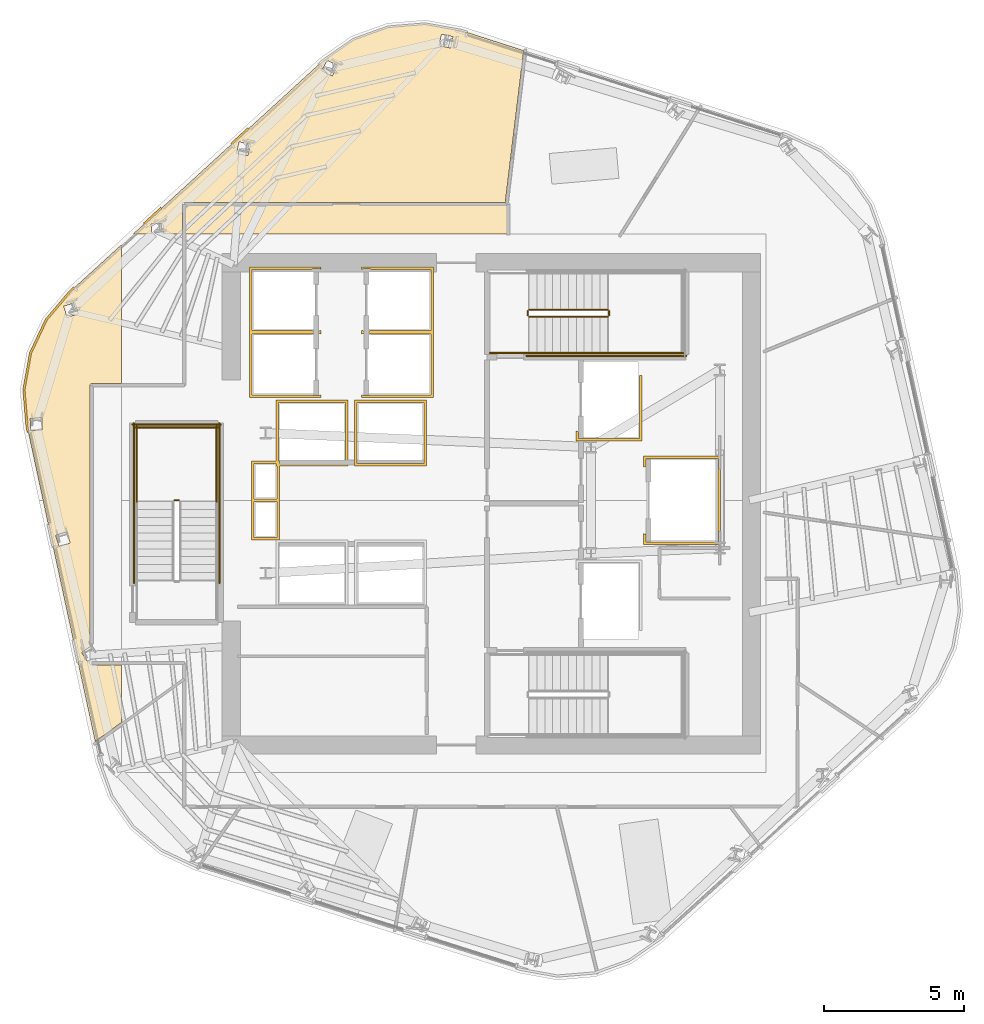
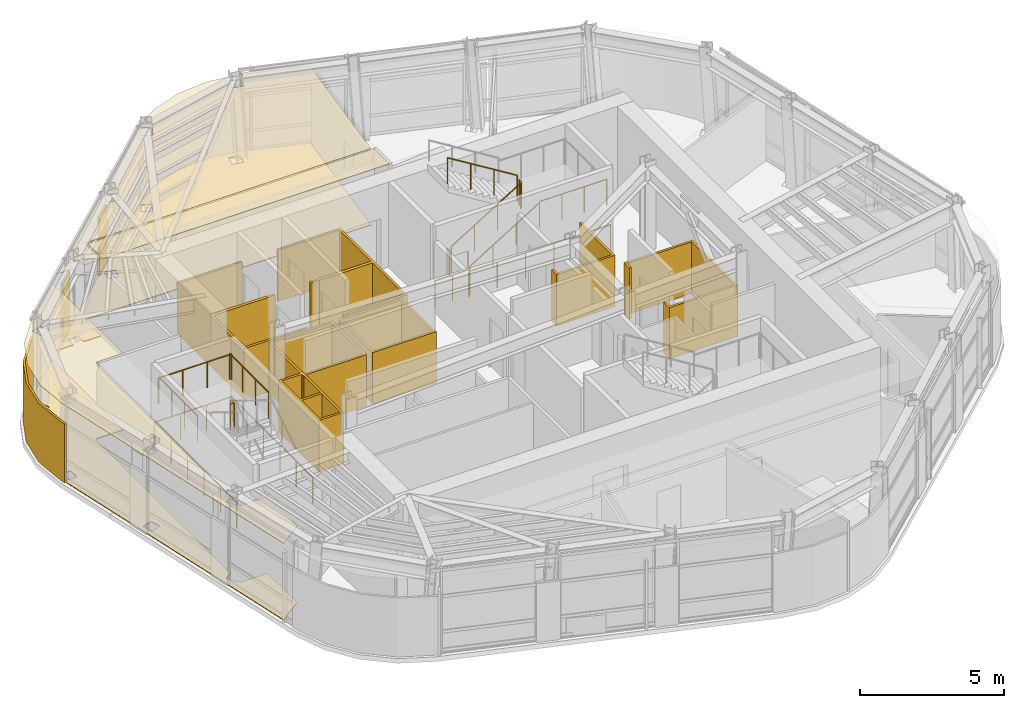
# One storey, part 13 of 15: 15 railings, 14 coverings.
"""IFC4 building model written with IfcOpenShell, lengths in metres."""

from ifc_helpers import new_model, si_unit, direction, frame, origin, origin_2d, place, context, subcontext, project, spatial, polyline, circle, outline, extrude, material, layer, layer_set, type_object, element, save


model = new_model("IFC4")

# Units and contexts
model_context = context("Model", 3, precision=1e-05, world=origin(), true_north=direction((0.0, 1.0)))
body_context = subcontext(model_context, "Body", "Model", "MODEL_VIEW")
ifc_project = project(units=[si_unit("LENGTHUNIT", "METRE"), si_unit("AREAUNIT", "SQUARE_METRE"), si_unit("VOLUMEUNIT", "CUBIC_METRE"), si_unit("PLANEANGLEUNIT", "RADIAN"), si_unit("MASSUNIT", "GRAM", prefix="KILO")], contexts=[model_context])

# Site, building, storey
site_placement = place(None, origin())
site = spatial("IfcSite", under=ifc_project, at=site_placement, CompositionType="ELEMENT")
building_placement = place(site_placement, origin())
building = spatial("IfcBuilding", under=site, at=building_placement, Name="Valkerne Bourse Tower", CompositionType="ELEMENT")
storey_placement = place(building_placement, frame((0.0, 0.0, 205.60009765625)))
storey = spatial("IfcBuildingStorey", under=building, at=storey_placement, Name="L52", CompositionType="ELEMENT", Elevation=205.60009765625)

# Coverings
ifc_material_1 = material(Name="Mineral Fiber Acoustic Ceiling Tile", Category="acoustic")
ifc_layer_1 = layer(ifc_material_1, 0.02490234375)
ifc_layer_set_1 = layer_set([ifc_layer_1], Name="Mineral Fiber Acoustic Ceiling Tile")
covering_type_1 = type_object("IfcCoveringType", Name="COV-CEIL-ACT", PredefinedType="CEILING", material=ifc_layer_set_1)
covering_1_placement = place(storey_placement, frame((0.0, 0.0, 3.25)))
element("IfcCovering", 1, at=covering_1_placement, inside=storey, type_object=covering_type_1, Name="L52 Suspended Ceiling 12", PredefinedType="CEILING", context=body_context, shape_type="SweptSolid", body=[
    extrude(outline(polyline([(30.3662109375, 32.24462890625), (30.927978515625, 33.438720703125), (31.7861328125, 34.453857421875), (33.60009765625, 36.10986328125), (33.60009765625, 31.1689453125), (32.549560546875, 31.1689453125), (32.52099609375, 31.16259765625), (32.498779296875, 31.146484375), (32.48095703125, 31.100830078125), (32.48095703125, 21.852294921875), (32.48779296875, 21.822998046875), (32.509033203125, 21.797119140625), (32.5244140625, 21.790771484375), (32.185791015625, 21.571533203125), (32.1865234375, 21.5693359375), (32.41015625, 21.224365234375), (32.48291015625, 21.271484375), (32.484619140625, 21.17724609375), (32.50927734375, 21.14404296875), (32.54931640625, 21.131103515625), (33.60009765625, 21.131103515625), (33.60009765625, 19.071044921875), (32.671142578125, 18.400146484375), (30.243896484375, 29.621337890625), (30.132568359375, 30.946044921875), (30.3662109375, 32.24462890625)]), holes=[polyline([(31.777587890625, 25.47900390625), (31.65625, 25.871826171875), (31.26025390625, 25.749755859375), (31.260498046875, 25.74755859375), (31.3818359375, 25.354736328125), (31.77783203125, 25.476806640625), (31.777587890625, 25.47900390625)]), polyline([(30.782470703125, 29.520751953125), (30.764404296875, 29.931396484375), (30.3505859375, 29.91357421875), (30.35009765625, 29.911376953125), (30.3681640625, 29.500732421875), (30.781982421875, 29.518310546875), (30.782470703125, 29.520751953125)]), polyline([(32.064697265625, 33.6533203125), (31.93896484375, 34.047607421875), (31.546630859375, 33.923583984375), (31.545654296875, 33.92138671875), (31.67138671875, 33.527099609375), (32.063720703125, 33.65087890625), (32.064697265625, 33.6533203125)])]), origin(), (0.0, 0.0, 1.0), 0.02490234375),
])
covering_2_placement = place(storey_placement, frame((0.0, 0.0, 3.25)))
element("IfcCovering", 2, at=covering_2_placement, inside=storey, type_object=covering_type_1, Name="L52 Suspended Ceiling 13", PredefinedType="CEILING", context=body_context, shape_type="SweptSolid", body=[
    extrude(outline(polyline([(40.787353515625, 42.671630859375), (41.878662109375, 43.43017578125), (43.1201171875, 43.877197265625), (44.435302734375, 43.987548828125), (45.7431640625, 43.752197265625), (47.953369140625, 43.042724609375), (47.29638671875, 37.62890625), (35.849609375, 37.62890625), (35.81494140625, 37.61962890625), (35.791015625, 37.595947265625), (35.781005859375, 37.560546875), (35.781005859375, 36.5), (35.09716796875, 36.5), (35.077392578125, 36.881591796875), (34.666259765625, 36.861083984375), (34.664794921875, 36.859375), (34.68359375, 36.5), (34.02734375, 36.5), (40.787353515625, 42.671630859375)]), holes=[polyline([(38.1142578125, 39.293212890625), (38.205810546875, 39.697021484375), (37.8046875, 39.788818359375), (37.802978515625, 39.78759765625), (37.71142578125, 39.3837890625), (38.112548828125, 39.2919921875), (38.1142578125, 39.293212890625)]), polyline([(41.123291015625, 42.138427734375), (41.314208984375, 42.505615234375), (40.949462890625, 42.6962890625), (40.947265625, 42.6953125), (40.756591796875, 42.328125), (41.12109375, 42.1376953125), (41.123291015625, 42.138427734375)]), polyline([(45.427734375, 43.536376953125), (45.02392578125, 43.625244140625), (45.021484375, 43.625), (44.933349609375, 43.222900390625), (45.337158203125, 43.1337890625), (45.339599609375, 43.134033203125), (45.427734375, 43.536376953125)])]), origin(), (0.0, 0.0, 1.0), 0.02490234375),
])
ifc_material_2 = material(Name="Bronze Anodised Aluminium AA 6063-T6", Category="aluminium")
ifc_layer_2 = layer(ifc_material_2, 0.030029296875)
ifc_layer_set_2 = layer_set([ifc_layer_2], Name="Bronze Anodised Aluminium AA 6063-T6")
covering_type_2 = type_object("IfcCoveringType", Name="COV-CEIL-METAL", PredefinedType="CEILING", material=ifc_layer_set_2)
covering_3_placement = place(storey_placement, frame((0.0, 0.0, 3.25)))
element("IfcCovering", 3, at=covering_3_placement, inside=storey, type_object=covering_type_2, Name="L52 Suspended Ceiling 03", PredefinedType="CEILING", context=body_context, shape_type="SweptSolid", body=[
    extrude(outline(polyline([(35.85400390625, 37.555908203125), (47.39599609375, 37.555908203125), (47.39599609375, 36.5), (35.85400390625, 36.5), (35.85400390625, 37.555908203125)])), origin(), (0.0, 0.0, 1.0), 0.02490234375),
])
ifc_layer_3 = layer(ifc_material_2, 0.06005859375)
ifc_layer_set_3 = layer_set([ifc_layer_3], Name="Bronze Anodised Aluminium AA 6063-T6")
covering_type_3 = type_object("IfcCoveringType", Name="COV-CRN-ALUM", PredefinedType="CLADDING", material=ifc_layer_set_3)
covering_4_placement = place(storey_placement, origin())
element("IfcCovering", 4, at=covering_4_placement, inside=storey, type_object=covering_type_3, Name="L52 Wind-Shaped Corner Aluminium Cladding 10", PredefinedType="CLADDING", context=body_context, shape_type="SweptSolid", body=[
    extrude(outline(polyline([(30.2001953125, 29.614990234375), (30.08837890625, 30.947998046875), (30.323974609375, 32.258056640625), (30.890869140625, 33.462646484375), (31.75439453125, 34.484375), (31.89697265625, 34.61474609375), (31.95068359375, 34.555419921875), (31.81201171875, 34.4287109375), (30.958740234375, 33.4189453125), (30.40087890625, 32.233642578125), (30.1689453125, 30.944091796875), (30.279541015625, 29.626708984375), (30.319091796875, 29.443115234375), (30.240966796875, 29.426025390625), (30.2001953125, 29.614990234375)])), origin(), (0.0, 0.0, 1.0), 2.5),
])
covering_5_placement = place(storey_placement, origin())
element("IfcCovering", 5, at=covering_5_placement, inside=storey, type_object=covering_type_3, Name="L52 Wind-Shaped Corner Aluminium Cladding 11", PredefinedType="CLADDING", context=body_context, shape_type="SweptSolid", body=[
    extrude(outline(polyline([(35.007568359375, 37.45458984375), (35.061279296875, 37.3955078125), (34.44091796875, 36.8291015625), (34.38720703125, 36.88818359375), (35.007568359375, 37.45458984375)])), origin(), (0.0, 0.0, 1.0), 2.5),
])
covering_6_placement = place(storey_placement, origin())
element("IfcCovering", 6, at=covering_6_placement, inside=storey, type_object=covering_type_3, Name="L52 Wind-Shaped Corner Aluminium Cladding 12", PredefinedType="CLADDING", context=body_context, shape_type="SweptSolid", body=[
    extrude(outline(polyline([(38.1181640625, 40.29443359375), (38.172119140625, 40.235107421875), (37.551513671875, 39.6689453125), (37.497802734375, 39.72802734375), (38.1181640625, 40.29443359375)])), origin(), (0.0, 0.0, 1.0), 2.5),
])
ifc_material_3 = material(Name="Polished Granite Stone", Category="masonry")
ifc_layer_4 = layer(ifc_material_3, 0.030029296875)
ifc_layer_set_4 = layer_set([ifc_layer_4], Name="Polished Granite Stone")
covering_type_4 = type_object("IfcCoveringType", Name="COV-FLR-TERRAZZO", PredefinedType="FLOORING", material=ifc_layer_set_4)
covering_7_placement = place(storey_placement, origin())
element("IfcCovering", 7, at=covering_7_placement, inside=storey, type_object=covering_type_4, Name="L52 Floor Finish 12", PredefinedType="FLOORING", context=body_context, shape_type="SweptSolid", body=[
    extrude(outline(polyline([(30.3662109375, 32.24462890625), (30.927978515625, 33.438720703125), (31.7861328125, 34.453857421875), (33.60009765625, 36.10986328125), (33.60009765625, 31.1689453125), (32.549560546875, 31.1689453125), (32.52099609375, 31.16259765625), (32.498779296875, 31.146484375), (32.48095703125, 31.100830078125), (32.48095703125, 21.852294921875), (32.48779296875, 21.822998046875), (32.509033203125, 21.797119140625), (32.5244140625, 21.790771484375), (32.185791015625, 21.571533203125), (32.1865234375, 21.5693359375), (32.41015625, 21.224365234375), (32.48291015625, 21.271484375), (32.484619140625, 21.17724609375), (32.50927734375, 21.14404296875), (32.54931640625, 21.131103515625), (33.60009765625, 21.131103515625), (33.60009765625, 19.071044921875), (32.671142578125, 18.400146484375), (30.243896484375, 29.621337890625), (30.132568359375, 30.946044921875), (30.3662109375, 32.24462890625)]), holes=[polyline([(31.777587890625, 25.47900390625), (31.65625, 25.871826171875), (31.26025390625, 25.749755859375), (31.260498046875, 25.74755859375), (31.3818359375, 25.354736328125), (31.77783203125, 25.476806640625), (31.777587890625, 25.47900390625)]), polyline([(30.782470703125, 29.520751953125), (30.764404296875, 29.931396484375), (30.3505859375, 29.91357421875), (30.35009765625, 29.911376953125), (30.3681640625, 29.500732421875), (30.781982421875, 29.518310546875), (30.782470703125, 29.520751953125)]), polyline([(32.064697265625, 33.6533203125), (31.93896484375, 34.047607421875), (31.546630859375, 33.923583984375), (31.545654296875, 33.92138671875), (31.67138671875, 33.527099609375), (32.063720703125, 33.65087890625), (32.064697265625, 33.6533203125)])]), origin(), (0.0, 0.0, 1.0), 0.02978515625),
])
covering_8_placement = place(storey_placement, origin())
element("IfcCovering", 8, at=covering_8_placement, inside=storey, type_object=covering_type_4, Name="L52 Floor Finish 13", PredefinedType="FLOORING", context=body_context, shape_type="SweptSolid", body=[
    extrude(outline(polyline([(40.787353515625, 42.671630859375), (41.878662109375, 43.43017578125), (43.1201171875, 43.877197265625), (44.435302734375, 43.987548828125), (45.7431640625, 43.752197265625), (47.953369140625, 43.042724609375), (47.29638671875, 37.62890625), (35.849609375, 37.62890625), (35.81494140625, 37.61962890625), (35.791015625, 37.595947265625), (35.781005859375, 37.560546875), (35.781005859375, 36.5), (35.09716796875, 36.5), (35.077392578125, 36.881591796875), (34.666259765625, 36.861083984375), (34.664794921875, 36.859375), (34.68359375, 36.5), (34.02734375, 36.5), (40.787353515625, 42.671630859375)]), holes=[polyline([(38.1142578125, 39.293212890625), (38.205810546875, 39.697021484375), (37.8046875, 39.788818359375), (37.802978515625, 39.78759765625), (37.71142578125, 39.3837890625), (38.112548828125, 39.2919921875), (38.1142578125, 39.293212890625)]), polyline([(41.123291015625, 42.138427734375), (41.314208984375, 42.505615234375), (40.949462890625, 42.6962890625), (40.947265625, 42.6953125), (40.756591796875, 42.328125), (41.12109375, 42.1376953125), (41.123291015625, 42.138427734375)]), polyline([(45.427734375, 43.536376953125), (45.02392578125, 43.625244140625), (45.021484375, 43.625), (44.933349609375, 43.222900390625), (45.337158203125, 43.1337890625), (45.339599609375, 43.134033203125), (45.427734375, 43.536376953125)])]), origin(), (0.0, 0.0, 1.0), 0.02978515625),
])
ifc_material_4 = material(Name="Gypsum Shaftwall Liner Board", Category="gypsum")
ifc_layer_5 = layer(ifc_material_4, 0.080078125)
ifc_layer_set_5 = layer_set([ifc_layer_5], Name="Gypsum Shaftwall Liner Board")
covering_type_5 = type_object("IfcCoveringType", Name="COV-SHF-CLAD", PredefinedType="CLADDING", material=ifc_layer_set_5)
covering_9_placement = place(storey_placement, origin())
element("IfcCovering", 9, at=covering_9_placement, inside=storey, type_object=covering_type_5, Name="L52 Hoistway & Riser Shaftwall Liner 03", PredefinedType="CLADDING", context=body_context, shape_type="SweptSolid", body=[
    extrude(outline(polyline([(38.239990234375, 28.409912109375), (39.1201171875, 28.409912109375), (39.1201171875, 30.580078125), (41.679931640625, 30.580078125), (41.679931640625, 28.219970703125), (39.239990234375, 28.219970703125), (39.239990234375, 27.0400390625), (39.239990234375, 26.9599609375), (39.239990234375, 25.590087890625), (38.239990234375, 25.590087890625), (38.239990234375, 26.9599609375), (38.239990234375, 27.0400390625), (38.239990234375, 28.409912109375)]), holes=[polyline([(38.330078125, 26.949951171875), (38.330078125, 25.679931640625), (39.14990234375, 25.679931640625), (39.14990234375, 26.949951171875), (38.330078125, 26.949951171875)]), polyline([(39.2099609375, 30.489990234375), (39.2099609375, 28.409912109375), (39.239990234375, 28.409912109375), (39.239990234375, 28.31005859375), (41.590087890625, 28.31005859375), (41.590087890625, 30.489990234375), (39.2099609375, 30.489990234375)]), polyline([(38.330078125, 27.050048828125), (39.14990234375, 27.050048828125), (39.14990234375, 28.219970703125), (39.1201171875, 28.219970703125), (39.1201171875, 28.320068359375), (38.330078125, 28.320068359375), (38.330078125, 27.050048828125)])]), origin(), (0.0, 0.0, 1.0), 2.179931640625),
])
covering_10_placement = place(storey_placement, origin())
element("IfcCovering", 10, at=covering_10_placement, inside=storey, type_object=covering_type_5, Name="L52 Hoistway & Riser Shaftwall Liner 04", PredefinedType="CLADDING", context=body_context, shape_type="SweptSolid", body=[
    extrude(outline(polyline([(38.169921875, 35.330078125), (40.72998046875, 35.330078125), (40.72998046875, 35.232177734375), (40.72216796875, 35.235595703125), (40.6806640625, 35.25048828125), (40.6376953125, 35.261474609375), (40.593994140625, 35.267822265625), (40.550048828125, 35.27001953125), (40.505859375, 35.267822265625), (40.462158203125, 35.261474609375), (40.41943359375, 35.25048828125), (40.3896484375, 35.239990234375), (38.260009765625, 35.239990234375), (38.260009765625, 33.06005859375), (40.3896484375, 33.06005859375), (40.41943359375, 33.04931640625), (40.462158203125, 33.03857421875), (40.505859375, 33.0322265625), (40.550048828125, 33.030029296875), (40.593994140625, 33.0322265625), (40.6376953125, 33.03857421875), (40.6806640625, 33.04931640625), (40.72216796875, 33.064208984375), (40.72998046875, 33.06787109375), (40.72998046875, 33.030029296875), (40.72998046875, 32.969970703125), (40.72998046875, 32.93212890625), (40.72216796875, 32.935791015625), (40.6806640625, 32.95068359375), (40.6376953125, 32.96142578125), (40.593994140625, 32.9677734375), (40.550048828125, 32.969970703125), (40.505859375, 32.9677734375), (40.462158203125, 32.96142578125), (40.41943359375, 32.95068359375), (40.3896484375, 32.93994140625), (38.260009765625, 32.93994140625), (38.260009765625, 30.760009765625), (40.3896484375, 30.760009765625), (40.41943359375, 30.74951171875), (40.462158203125, 30.738525390625), (40.505859375, 30.732177734375), (40.550048828125, 30.72998046875), (40.593994140625, 30.732177734375), (40.6376953125, 30.738525390625), (40.6806640625, 30.74951171875), (40.72216796875, 30.764404296875), (40.72998046875, 30.767822265625), (40.72998046875, 30.669921875), (38.169921875, 30.669921875), (38.169921875, 32.969970703125), (38.169921875, 33.030029296875), (38.169921875, 35.330078125)])), origin(), (0.0, 0.0, 1.0), 2.179931640625),
])
covering_11_placement = place(storey_placement, origin())
element("IfcCovering", 11, at=covering_11_placement, inside=storey, type_object=covering_type_5, Name="L52 Hoistway & Riser Shaftwall Liner 06", PredefinedType="CLADDING", context=body_context, shape_type="SweptSolid", body=[
    extrude(outline(polyline([(54.97998046875, 25.419921875), (52.219970703125, 25.419921875), (52.219970703125, 25.81787109375), (52.227783203125, 25.814208984375), (52.269287109375, 25.79931640625), (52.31005859375, 25.789306640625), (52.31005859375, 25.510009765625), (54.889892578125, 25.510009765625), (54.889892578125, 28.489990234375), (52.31005859375, 28.489990234375), (52.31005859375, 28.210693359375), (52.269287109375, 28.20068359375), (52.227783203125, 28.185791015625), (52.219970703125, 28.18212890625), (52.219970703125, 28.580078125), (54.97998046875, 28.580078125), (54.97998046875, 25.419921875)])), origin(), (0.0, 0.0, 1.0), 2.179931640625),
])
covering_12_placement = place(storey_placement, origin())
element("IfcCovering", 12, at=covering_12_placement, inside=storey, type_object=covering_type_5, Name="L52 Hoistway & Riser Shaftwall Liner 07", PredefinedType="CLADDING", context=body_context, shape_type="SweptSolid", body=[
    extrude(outline(polyline([(44.47998046875, 28.219970703125), (41.919921875, 28.219970703125), (41.919921875, 30.580078125), (44.47998046875, 30.580078125), (44.47998046875, 28.219970703125)]), holes=[polyline([(42.010009765625, 30.489990234375), (42.010009765625, 28.31005859375), (44.389892578125, 28.31005859375), (44.389892578125, 30.489990234375), (42.010009765625, 30.489990234375)])]), origin(), (0.0, 0.0, 1.0), 2.179931640625),
])
covering_13_placement = place(storey_placement, origin())
element("IfcCovering", 13, at=covering_13_placement, inside=storey, type_object=covering_type_5, Name="L52 Hoistway & Riser Shaftwall Liner 08", PredefinedType="CLADDING", context=body_context, shape_type="SweptSolid", body=[
    extrude(outline(polyline([(49.820068359375, 29.1201171875), (49.820068359375, 29.468017578125), (49.827880859375, 29.46435546875), (49.869384765625, 29.449462890625), (49.909912109375, 29.439208984375), (49.909912109375, 29.2099609375), (52.090087890625, 29.2099609375), (52.090087890625, 31.449951171875), (52.179931640625, 31.449951171875), (52.179931640625, 29.1201171875), (49.820068359375, 29.1201171875)])), origin(), (0.0, 0.0, 1.0), 2.179931640625),
])
covering_14_placement = place(storey_placement, origin())
element("IfcCovering", 14, at=covering_14_placement, inside=storey, type_object=covering_type_5, Name="L52 Hoistway & Riser Shaftwall Liner 09", PredefinedType="CLADDING", context=body_context, shape_type="SweptSolid", body=[
    extrude(outline(polyline([(42.169921875, 33.06787109375), (42.177734375, 33.064208984375), (42.219482421875, 33.04931640625), (42.26220703125, 33.03857421875), (42.305908203125, 33.0322265625), (42.35009765625, 33.030029296875), (42.39404296875, 33.0322265625), (42.437744140625, 33.03857421875), (42.480712890625, 33.04931640625), (42.51025390625, 33.06005859375), (44.639892578125, 33.06005859375), (44.639892578125, 35.239990234375), (42.51025390625, 35.239990234375), (42.480712890625, 35.25048828125), (42.437744140625, 35.261474609375), (42.39404296875, 35.267822265625), (42.35009765625, 35.27001953125), (42.305908203125, 35.267822265625), (42.26220703125, 35.261474609375), (42.219482421875, 35.25048828125), (42.177734375, 35.235595703125), (42.169921875, 35.232177734375), (42.169921875, 35.330078125), (44.72998046875, 35.330078125), (44.72998046875, 33.030029296875), (44.72998046875, 32.969970703125), (44.72998046875, 30.669921875), (42.169921875, 30.669921875), (42.169921875, 30.767822265625), (42.177734375, 30.764404296875), (42.219482421875, 30.74951171875), (42.26220703125, 30.738525390625), (42.305908203125, 30.732177734375), (42.35009765625, 30.72998046875), (42.39404296875, 30.732177734375), (42.437744140625, 30.738525390625), (42.480712890625, 30.74951171875), (42.51025390625, 30.760009765625), (44.639892578125, 30.760009765625), (44.639892578125, 32.93994140625), (42.51025390625, 32.93994140625), (42.480712890625, 32.95068359375), (42.437744140625, 32.96142578125), (42.39404296875, 32.9677734375), (42.35009765625, 32.969970703125), (42.305908203125, 32.9677734375), (42.26220703125, 32.96142578125), (42.219482421875, 32.95068359375), (42.177734375, 32.935791015625), (42.169921875, 32.93212890625), (42.169921875, 32.969970703125), (42.169921875, 33.030029296875), (42.169921875, 33.06787109375)])), origin(), (0.0, 0.0, 1.0), 2.179931640625),
])

# Railings
ifc_material_5 = material(Name="Galvanised Painted Steel", Category="steel")
railing_type_1 = type_object("IfcRailingType", Name="RLG-ST-GUARD-1120", PredefinedType="GUARDRAIL", material=ifc_material_5)
railing_1_placement = place(storey_placement, frame((48.14990234375, 33.550048828125, 0.172607421875)))
element("IfcRailing", 15, at=railing_1_placement, inside=storey, type_object=railing_type_1, Name="L52 ST-2 stair guard 1", PredefinedType="GUARDRAIL", context=body_context, shape_type="SweptSolid", body=[
    extrude(circle(Radius=0.02392578125, at=origin_2d()), frame((0.0, 0.0, 1.09619140625), z_axis=(0.851089632645, 0.0, 0.525020415988), x_axis=(0.0, 1.0, 0.0)), (0.0, 0.0, 1.0), 3.2900390625),
    extrude(circle(Radius=0.02099609375, at=origin_2d()), origin(), (0.0, 0.0, 1.0), 1.072021484375),
    extrude(circle(Radius=0.02099609375, at=origin_2d()), frame((0.933349609375, 0.0, 0.57568359375)), (0.0, 0.0, 1.0), 1.072021484375),
    extrude(circle(Radius=0.02099609375, at=origin_2d()), frame((1.86669921875, 0.0, 1.151611328125)), (0.0, 0.0, 1.0), 1.072021484375),
    extrude(circle(Radius=0.02099609375, at=origin_2d()), frame((2.800048828125, 0.0, 1.727294921875)), (0.0, 0.0, 1.0), 1.072021484375),
])
railing_2_placement = place(storey_placement, frame((51.0, 33.60009765625, 1.89990234375)))
element("IfcRailing", 16, at=railing_2_placement, inside=storey, type_object=railing_type_1, Name="L52 ST-2 stair guard 2", PredefinedType="GUARDRAIL", context=body_context, shape_type="SweptSolid", body=[
    extrude(circle(Radius=0.02392578125, at=origin_2d()), frame((0.0, 0.0, 1.09619140625), z_axis=(0.0, 1.0, 0.0), x_axis=(-1.0, 0.0, 0.0)), (0.0, 0.0, 1.0), 0.14990234375),
    extrude(circle(Radius=0.02099609375, at=origin_2d()), origin(), (0.0, 0.0, 1.0), 1.072021484375),
    extrude(circle(Radius=0.02099609375, at=origin_2d()), frame((0.0, 0.14990234375, 0.0)), (0.0, 0.0, 1.0), 1.072021484375),
])
railing_3_placement = place(storey_placement, frame((50.949951171875, 32.25, 1.89990234375)))
element("IfcRailing", 17, at=railing_3_placement, inside=storey, type_object=railing_type_1, Name="L52 ST-2 stair guard 3", PredefinedType="GUARDRAIL", context=body_context, shape_type="SweptSolid", body=[
    extrude(circle(Radius=0.02392578125, at=origin_2d()), frame((0.0, 0.0, 1.09619140625), z_axis=(1.0, 0.0, 0.0), x_axis=(0.0, 1.0, 0.0)), (0.0, 0.0, 1.0), 2.699951171875),
    extrude(circle(Radius=0.02099609375, at=origin_2d()), origin(), (0.0, 0.0, 1.0), 1.072021484375),
    extrude(circle(Radius=0.02099609375, at=origin_2d()), frame((0.89990234375, 0.0, 0.0)), (0.0, 0.0, 1.0), 1.072021484375),
    extrude(circle(Radius=0.02099609375, at=origin_2d()), frame((1.800048828125, 0.0, 0.0)), (0.0, 0.0, 1.0), 1.072021484375),
    extrude(circle(Radius=0.02099609375, at=origin_2d()), frame((2.699951171875, 0.0, 0.0)), (0.0, 0.0, 1.0), 1.072021484375),
])
railing_4_placement = place(storey_placement, frame((50.949951171875, 33.800048828125, 2.072509765625)))
element("IfcRailing", 18, at=railing_4_placement, inside=storey, type_object=railing_type_1, Name="L52 ST-2 stair guard 6", PredefinedType="GUARDRAIL", context=body_context, shape_type="SweptSolid", body=[
    extrude(circle(Radius=0.02392578125, at=origin_2d()), frame((0.0, 0.0, 1.09619140625), z_axis=(-0.851089632645, 0.0, 0.525020415988), x_axis=(0.0, -1.0, 0.0)), (0.0, 0.0, 1.0), 3.2900390625),
    extrude(circle(Radius=0.02099609375, at=origin_2d()), origin(), (0.0, 0.0, 1.0), 1.072021484375),
    extrude(circle(Radius=0.02099609375, at=origin_2d()), frame((-0.933349609375, 0.0, 0.57568359375)), (0.0, 0.0, 1.0), 1.072021484375),
    extrude(circle(Radius=0.02099609375, at=origin_2d()), frame((-1.86669921875, 0.0, 1.151611328125)), (0.0, 0.0, 1.0), 1.072021484375),
    extrude(circle(Radius=0.02099609375, at=origin_2d()), frame((-2.800048828125, 0.0, 1.727294921875)), (0.0, 0.0, 1.0), 1.072021484375),
])
railing_5_placement = place(storey_placement, frame((48.10009765625, 33.60009765625, 0.0)))
element("IfcRailing", 19, at=railing_5_placement, inside=storey, type_object=railing_type_1, Name="L52 ST-2 stair guard 7", PredefinedType="GUARDRAIL", context=body_context, shape_type="SweptSolid", body=[
    extrude(circle(Radius=0.02392578125, at=origin_2d()), frame((0.0, 0.0, 1.09619140625), z_axis=(0.0, 1.0, 0.0), x_axis=(-1.0, 0.0, 0.0)), (0.0, 0.0, 1.0), 0.14990234375),
    extrude(circle(Radius=0.02099609375, at=origin_2d()), origin(), (0.0, 0.0, 1.0), 1.072021484375),
    extrude(circle(Radius=0.02099609375, at=origin_2d()), frame((0.0, 0.14990234375, 0.0)), (0.0, 0.0, 1.0), 1.072021484375),
])
railing_6_placement = place(storey_placement, frame((46.75, 32.25, 0.0)))
element("IfcRailing", 20, at=railing_6_placement, inside=storey, type_object=railing_type_1, Name="L52 ST-2 stair guard 8", PredefinedType="GUARDRAIL", context=body_context, shape_type="SweptSolid", body=[
    extrude(circle(Radius=0.02392578125, at=origin_2d()), frame((0.0, 0.0, 1.09619140625), z_axis=(1.0, 0.0, 0.0), x_axis=(0.0, 1.0, 0.0)), (0.0, 0.0, 1.0), 1.39990234375),
    extrude(circle(Radius=0.02099609375, at=origin_2d()), origin(), (0.0, 0.0, 1.0), 1.072021484375),
    extrude(circle(Radius=0.02099609375, at=origin_2d()), frame((0.699951171875, 0.0, 0.0)), (0.0, 0.0, 1.0), 1.072021484375),
    extrude(circle(Radius=0.02099609375, at=origin_2d()), frame((1.39990234375, 0.0, 0.0)), (0.0, 0.0, 1.0), 1.072021484375),
])
railing_7_placement = place(storey_placement, frame((48.050048828125, 32.14990234375, 0.0)))
element("IfcRailing", 21, at=railing_7_placement, inside=storey, type_object=railing_type_1, Name="L52 ST-2 stair guard 10", PredefinedType="GUARDRAIL", context=body_context, shape_type="SweptSolid", body=[
    extrude(circle(Radius=0.02392578125, at=origin_2d()), frame((0.0, 0.0, 1.09619140625), z_axis=(1.0, 0.0, 0.0), x_axis=(0.0, 1.0, 0.0)), (0.0, 0.0, 1.0), 5.699951171875),
    extrude(circle(Radius=0.02099609375, at=origin_2d()), origin(), (0.0, 0.0, 1.0), 1.072021484375),
    extrude(circle(Radius=0.02099609375, at=origin_2d()), frame((1.139892578125, 0.0, 0.0)), (0.0, 0.0, 1.0), 1.072021484375),
    extrude(circle(Radius=0.02099609375, at=origin_2d()), frame((2.280029296875, 0.0, 0.0)), (0.0, 0.0, 1.0), 1.072021484375),
    extrude(circle(Radius=0.02099609375, at=origin_2d()), frame((3.419921875, 0.0, 0.0)), (0.0, 0.0, 1.0), 1.072021484375),
    extrude(circle(Radius=0.02099609375, at=origin_2d()), frame((4.56005859375, 0.0, 0.0)), (0.0, 0.0, 1.0), 1.072021484375),
    extrude(circle(Radius=0.02099609375, at=origin_2d()), frame((5.699951171875, 0.0, 0.0)), (0.0, 0.0, 1.0), 1.072021484375),
])
railing_8_placement = place(storey_placement, frame((35.64990234375, 27.0, 1.89990234375)))
element("IfcRailing", 22, at=railing_8_placement, inside=storey, type_object=railing_type_1, Name="L52 ST-3 stair guard 2", PredefinedType="GUARDRAIL", context=body_context, shape_type="SweptSolid", body=[
    extrude(circle(Radius=0.02392578125, at=origin_2d()), frame((0.0, 0.0, 1.09619140625), z_axis=(-1.0, 0.0, 0.0), x_axis=(0.0, -1.0, 0.0)), (0.0, 0.0, 1.0), 0.14990234375),
    extrude(circle(Radius=0.02099609375, at=origin_2d()), origin(), (0.0, 0.0, 1.0), 1.072021484375),
    extrude(circle(Radius=0.02099609375, at=origin_2d()), frame((-0.14990234375, 0.0, 0.0)), (0.0, 0.0, 1.0), 1.072021484375),
])
for number, where, name in (
    (23, (37.0, 26.949951171875, 1.89990234375), "L52 ST-3 stair guard 3"),
    (24, (34.14990234375, 26.949951171875, 1.89990234375), "L52 ST-3 stair guard 4"),
):
    element("IfcRailing", number, at=place(storey_placement, frame(where)), inside=storey, type_object=railing_type_1, Name=name, PredefinedType="GUARDRAIL", context=body_context, shape_type="SweptSolid", body=[
        extrude(circle(Radius=0.02392578125, at=origin_2d()), frame((0.0, 0.0, 1.09619140625), z_axis=(0.0, 1.0, 0.0), x_axis=(-1.0, 0.0, 0.0)), (0.0, 0.0, 1.0), 2.699951171875),
        extrude(circle(Radius=0.02099609375, at=origin_2d()), origin(), (0.0, 0.0, 1.0), 1.072021484375),
        extrude(circle(Radius=0.02099609375, at=origin_2d()), frame((0.0, 0.89990234375, 0.0)), (0.0, 0.0, 1.0), 1.072021484375),
        extrude(circle(Radius=0.02099609375, at=origin_2d()), frame((0.0, 1.800048828125, 0.0)), (0.0, 0.0, 1.0), 1.072021484375),
        extrude(circle(Radius=0.02099609375, at=origin_2d()), frame((0.0, 2.699951171875, 0.0)), (0.0, 0.0, 1.0), 1.072021484375),
    ])
railing_9_placement = place(storey_placement, frame((37.050048828125, 29.60009765625, 1.89990234375)))
element("IfcRailing", 25, at=railing_9_placement, inside=storey, type_object=railing_type_1, Name="L52 ST-3 stair guard 5", PredefinedType="GUARDRAIL", context=body_context, shape_type="SweptSolid", body=[
    extrude(circle(Radius=0.02392578125, at=origin_2d()), frame((0.0, 0.0, 1.09619140625), z_axis=(-1.0, 0.0, 0.0), x_axis=(0.0, -1.0, 0.0)), (0.0, 0.0, 1.0), 2.949951171875),
    extrude(circle(Radius=0.02099609375, at=origin_2d()), origin(), (0.0, 0.0, 1.0), 1.072021484375),
    extrude(circle(Radius=0.02099609375, at=origin_2d()), frame((-0.9833984375, 0.0, 0.0)), (0.0, 0.0, 1.0), 1.072021484375),
    extrude(circle(Radius=0.02099609375, at=origin_2d()), frame((-1.966552734375, 0.0, 0.0)), (0.0, 0.0, 1.0), 1.072021484375),
    extrude(circle(Radius=0.02099609375, at=origin_2d()), frame((-2.949951171875, 0.0, 0.0)), (0.0, 0.0, 1.0), 1.072021484375),
])
for number, where, name in (
    (26, (37.10009765625, 24.050048828125, 0.0), "L52 ST-3 stair guard 10"),
    (27, (34.050048828125, 24.050048828125, 0.0), "L52 ST-3 stair guard 11"),
):
    element("IfcRailing", number, at=place(storey_placement, frame(where)), inside=storey, type_object=railing_type_1, Name=name, PredefinedType="GUARDRAIL", context=body_context, shape_type="SweptSolid", body=[
        extrude(circle(Radius=0.02392578125, at=origin_2d()), frame((0.0, 0.0, 1.09619140625), z_axis=(0.0, 1.0, 0.0), x_axis=(-1.0, 0.0, 0.0)), (0.0, 0.0, 1.0), 5.699951171875),
        extrude(circle(Radius=0.02099609375, at=origin_2d()), origin(), (0.0, 0.0, 1.0), 1.072021484375),
        extrude(circle(Radius=0.02099609375, at=origin_2d()), frame((0.0, 1.139892578125, 0.0)), (0.0, 0.0, 1.0), 1.072021484375),
        extrude(circle(Radius=0.02099609375, at=origin_2d()), frame((0.0, 2.280029296875, 0.0)), (0.0, 0.0, 1.0), 1.072021484375),
        extrude(circle(Radius=0.02099609375, at=origin_2d()), frame((0.0, 3.419921875, 0.0)), (0.0, 0.0, 1.0), 1.072021484375),
        extrude(circle(Radius=0.02099609375, at=origin_2d()), frame((0.0, 4.56005859375, 0.0)), (0.0, 0.0, 1.0), 1.072021484375),
        extrude(circle(Radius=0.02099609375, at=origin_2d()), frame((0.0, 5.699951171875, 0.0)), (0.0, 0.0, 1.0), 1.072021484375),
    ])
railing_10_placement = place(storey_placement, frame((37.14990234375, 29.699951171875, 0.0)))
element("IfcRailing", 28, at=railing_10_placement, inside=storey, type_object=railing_type_1, Name="L52 ST-3 stair guard 12", PredefinedType="GUARDRAIL", context=body_context, shape_type="SweptSolid", body=[
    extrude(circle(Radius=0.02392578125, at=origin_2d()), frame((0.0, 0.0, 1.09619140625), z_axis=(-1.0, 0.0, 0.0), x_axis=(0.0, -1.0, 0.0)), (0.0, 0.0, 1.0), 3.14990234375),
    extrude(circle(Radius=0.02099609375, at=origin_2d()), origin(), (0.0, 0.0, 1.0), 1.072021484375),
    extrude(circle(Radius=0.02099609375, at=origin_2d()), frame((-1.050048828125, 0.0, 0.0)), (0.0, 0.0, 1.0), 1.072021484375),
    extrude(circle(Radius=0.02099609375, at=origin_2d()), frame((-2.099853515625, 0.0, 0.0)), (0.0, 0.0, 1.0), 1.072021484375),
    extrude(circle(Radius=0.02099609375, at=origin_2d()), frame((-3.14990234375, 0.0, 0.0)), (0.0, 0.0, 1.0), 1.072021484375),
])
ifc_material_6 = material(Name="Stainless Steel AISI 316", Category="steel")
railing_type_2 = type_object("IfcRailingType", Name="RLG-ST-HANDRAIL-900", PredefinedType="HANDRAIL", material=ifc_material_6)
railing_11_placement = place(storey_placement, frame((48.14990234375, 32.25, 0.345458984375)))
element("IfcRailing", 29, at=railing_11_placement, inside=storey, type_object=railing_type_2, Name="L52 ST-2 stair handrail 1", PredefinedType="HANDRAIL", context=body_context, shape_type="SweptSolid", body=[
    extrude(circle(Radius=0.02392578125, at=origin_2d()), frame((0.0, 0.0, 0.8759765625), z_axis=(0.851122791225, 0.0, 0.524966660138), x_axis=(0.0, 1.0, 0.0)), (0.0, 0.0, 1.0), 3.289794921875),
    extrude(circle(Radius=0.02099609375, at=origin_2d()), origin(), (0.0, 0.0, 1.0), 0.851806640625),
    extrude(circle(Radius=0.02099609375, at=origin_2d()), frame((0.933349609375, 0.0, 0.57568359375)), (0.0, 0.0, 1.0), 0.851806640625),
    extrude(circle(Radius=0.02099609375, at=origin_2d()), frame((1.86669921875, 0.0, 1.1513671875)), (0.0, 0.0, 1.0), 0.851806640625),
    extrude(circle(Radius=0.02099609375, at=origin_2d()), frame((2.800048828125, 0.0, 1.72705078125)), (0.0, 0.0, 1.0), 0.851806640625),
])

save(model, "model.ifc")
